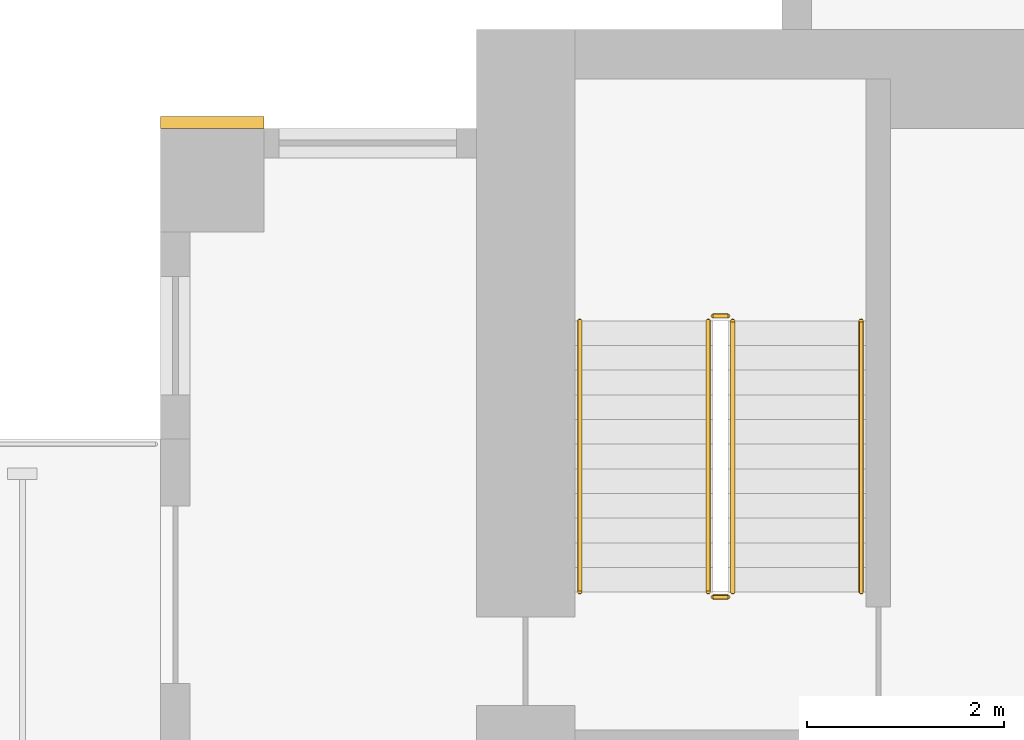
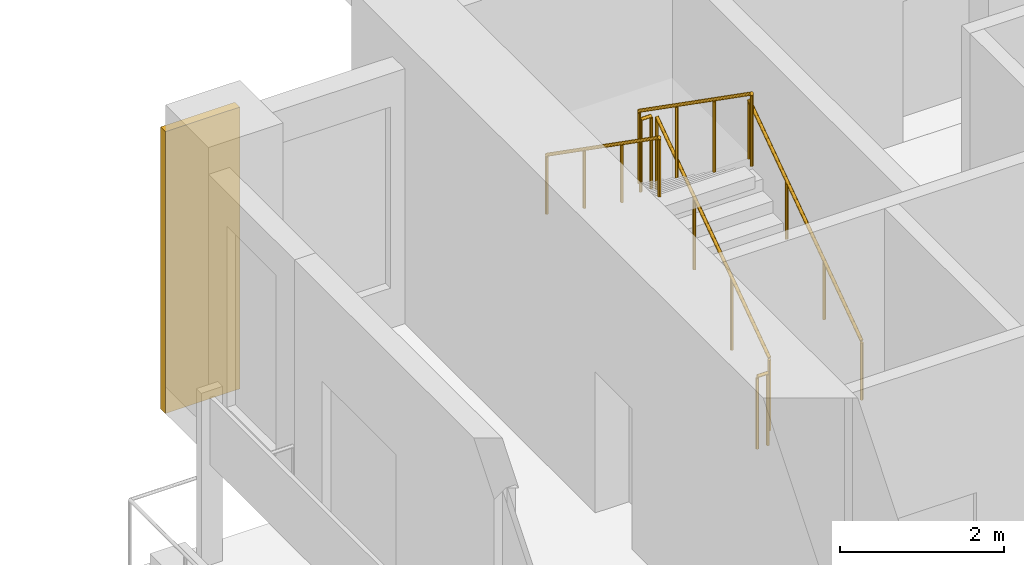
# One storey, part 12 of 15: 6 railings, 1 covering.
"""IFC4 building model written with IfcOpenShell, lengths in metres."""

import ifcopenshell
import ifcopenshell.guid

model = None  # the IFC model being written
_history = None  # IfcOwnerHistory: only IFC2X3 demands one
_inside = {}  # id of a spatial element -> (the spatial element, [elements in it])
_under = {}  # id of a project, library or spatial element -> (it, [spatial elements below it])
_declared = {}  # id of a project -> (the project, [libraries it declares])
_typed = {}  # id of a type object -> (the type object, [elements of that type])
_made_of = {}  # id of a material, layer set ... -> (it, [elements and type objects made of it])


def new_model(schema):
    """Start an empty IFC model of exactly this schema.

    Asked for "IFC4X3", IfcOpenShell would pick the latest addendum, in which some entities
    have other attributes; the version numbers below select the first issue.
    IFC2X3 requires an IfcOwnerHistory on every rooted entity: one is made here for all.
    """
    global model, _history
    if schema == "IFC4X3":
        model = ifcopenshell.file(schema_version=(4, 3, 0, 0))
    else:
        model = ifcopenshell.file(schema=schema)
    _inside.clear()
    _under.clear()
    _declared.clear()
    _typed.clear()
    _made_of.clear()
    _history = None
    if model.schema == "IFC2X3":
        org = make("IfcOrganization", Name="unknown")
        user = make(
            "IfcPersonAndOrganization",
            ThePerson=make("IfcPerson", FamilyName="unknown"),
            TheOrganization=org,
        )
        app = make(
            "IfcApplication",
            ApplicationDeveloper=org,
            Version="unknown",
            ApplicationFullName="unknown",
            ApplicationIdentifier="unknown",
        )
        _history = make(
            "IfcOwnerHistory",
            OwningUser=user,
            OwningApplication=app,
            ChangeAction="ADDED",
            CreationDate=0,
        )
    return model


def make(cls, **values):
    """One entity of the class cls with the attributes given. An attribute that is None is left unset."""
    return model.create_entity(
        cls, **{name: value for name, value in values.items() if value is not None}
    )


def rooted(cls, **values):
    """An entity with a GlobalId (a new one), such as an element, a storey or a relation."""
    return make(cls, GlobalId=ifcopenshell.guid.new(), OwnerHistory=_history, **values)


def si_unit(unit_type, name, prefix=None):
    """IfcSIUnit, for example si_unit("LENGTHUNIT", "METRE", prefix="MILLI")."""
    return make("IfcSIUnit", UnitType=unit_type, Prefix=prefix, Name=name)


def assignment(units):
    """IfcUnitAssignment: the units of a project."""
    return None if units is None else make("IfcUnitAssignment", Units=units)


def point(xyz):
    """IfcCartesianPoint."""
    return None if xyz is None else make("IfcCartesianPoint", Coordinates=xyz)


def direction(xyz):
    """IfcDirection."""
    return None if xyz is None else make("IfcDirection", DirectionRatios=xyz)


def frame(location, z_axis=None, x_axis=None):
    """IfcAxis2Placement3D, a coordinate frame: its origin and axes. An axis left out is left unset."""
    return make(
        "IfcAxis2Placement3D",
        Location=point(location),
        Axis=direction(z_axis),
        RefDirection=direction(x_axis),
    )


def frame_2d(location, x_axis=None):
    """IfcAxis2Placement2D, a coordinate frame in the plane: its origin and x axis."""
    return make(
        "IfcAxis2Placement2D", Location=point(location), RefDirection=direction(x_axis)
    )


def origin():
    """The frame at (0, 0, 0) with its axes left unset."""
    return frame((0.0, 0.0, 0.0))


def origin_2d():
    """The frame at (0, 0) in the plane with its x axis left unset."""
    return frame_2d((0.0, 0.0))


def place(relative_to, where):
    """IfcLocalPlacement: puts the frame where relative to a parent placement (None: the world)."""
    return make(
        "IfcLocalPlacement", PlacementRelTo=relative_to, RelativePlacement=where
    )


def context(
    kind, dimensions, precision=None, world=None, true_north=None, identifier=None
):
    """IfcGeometricRepresentationContext, for example the 3D "Model" context."""
    return make(
        "IfcGeometricRepresentationContext",
        ContextIdentifier=identifier,
        ContextType=kind,
        CoordinateSpaceDimension=dimensions,
        Precision=precision,
        WorldCoordinateSystem=world,
        TrueNorth=true_north,
    )


def subcontext(parent, identifier, kind, view, scale=None):
    """IfcGeometricRepresentationSubContext, for example "Body" below "Model"."""
    return make(
        "IfcGeometricRepresentationSubContext",
        ContextIdentifier=identifier,
        ContextType=kind,
        ParentContext=parent,
        TargetScale=scale,
        TargetView=view,
    )


def project(units=None, contexts=None):
    """IfcProject with its units and contexts."""
    return rooted(
        "IfcProject",
        Name="project",
        RepresentationContexts=contexts,
        UnitsInContext=assignment(units),
    )


def spatial(cls, under=None, at=None, **own):
    """A site, building, storey or space (cls), placed at a placement, below another one or the project."""
    s = rooted(cls, ObjectPlacement=at, **own)
    if under is not None:
        _under.setdefault(under.id(), (under, []))[1].append(s)
    return s


def profile(cls, at=None, kind="AREA", **sizes):
    """A parametric profile (cls). Its sizes go by their IFC names, for example OverallWidth=200.0."""
    return make(cls, ProfileType=kind, Position=at, **sizes)


def rectangle(**sizes):
    """IfcRectangleProfileDef."""
    return profile("IfcRectangleProfileDef", **sizes)


def circle(**sizes):
    """IfcCircleProfileDef."""
    return profile("IfcCircleProfileDef", **sizes)


def extrude(swept, where, along, depth):
    """IfcExtrudedAreaSolid: the profile swept, set in the frame where, extruded along a direction by depth."""
    return make(
        "IfcExtrudedAreaSolid",
        SweptArea=swept,
        Position=where,
        ExtrudedDirection=direction(along),
        Depth=depth,
    )


def shape(context_of_items, identifier, shape_type, items):
    """IfcShapeRepresentation: the items that make up one representation, for example the "Body"."""
    return make(
        "IfcShapeRepresentation",
        ContextOfItems=context_of_items,
        RepresentationIdentifier=identifier,
        RepresentationType=shape_type,
        Items=items,
    )


def source(mapping_origin, context_of_items, identifier, shape_type, items):
    """IfcRepresentationMap: a shape defined once, which mapped items show again and again."""
    return make(
        "IfcRepresentationMap",
        MappingOrigin=mapping_origin,
        MappedRepresentation=shape(context_of_items, identifier, shape_type, items),
    )


def transform(
    local_origin,
    x_axis=None,
    y_axis=None,
    z_axis=None,
    scale=None,
    scale2=None,
    scale3=None,
    uniform=True,
):
    """IfcCartesianTransformationOperator3D, or its non-uniform kind. x_axis, y_axis, z_axis: its Axis1, 2, 3."""
    if uniform:
        return make(
            "IfcCartesianTransformationOperator3D",
            Axis1=direction(x_axis),
            Axis2=direction(y_axis),
            LocalOrigin=point(local_origin),
            Scale=scale,
            Axis3=direction(z_axis),
        )
    return make(
        "IfcCartesianTransformationOperator3DnonUniform",
        Axis1=direction(x_axis),
        Axis2=direction(y_axis),
        LocalOrigin=point(local_origin),
        Scale=scale,
        Axis3=direction(z_axis),
        Scale2=scale2,
        Scale3=scale3,
    )


def mapped(mapping_source, mapping_target):
    """IfcMappedItem: shows the shape of a source again, moved by a transform."""
    return make(
        "IfcMappedItem", MappingSource=mapping_source, MappingTarget=mapping_target
    )


def material(Name=None, Category=None):
    """IfcMaterial."""
    return make("IfcMaterial", Name=Name, Category=Category)


def made_of(thing, what):
    """Note that an element or type object is made of a material, layer set ...; save() writes the relation."""
    if what is not None:
        _made_of.setdefault(what.id(), (what, []))[1].append(thing)
    return thing


def type_object(cls, material=None, **own):
    """A type object (cls), such as IfcWallType, which elements share."""
    return made_of(rooted(cls, **own), material)


def element(
    cls,
    number,
    at=None,
    inside=None,
    cuts=None,
    type_object=None,
    material=None,
    context=None,
    identifier="Body",
    shape_type=None,
    held_by="IfcProductDefinitionShape",
    body=None,
    shapes=None,
    **own,
):
    """One element of the class cls, such as IfcWall. Its Tag is "e" and its number.

    at: its placement. inside: the storey or other place that contains it. cuts: it is an
    opening in that element (IfcRelVoidsElement). A single representation is given by context,
    identifier, shape_type and body (its items); several are given by shapes. held_by: the class
    of the entity that holds the representations. save() writes the other relations.
    """
    e = rooted(cls, Tag="e%d" % number, ObjectPlacement=at, **own)
    if body is not None:
        shapes = [shape(context, identifier, shape_type, body)]
    if shapes is not None:
        e.Representation = make(held_by, Representations=shapes)
    if inside is not None:
        _inside.setdefault(inside.id(), (inside, []))[1].append(e)
    if cuts is not None:
        rooted(
            "IfcRelVoidsElement", RelatingBuildingElement=cuts, RelatedOpeningElement=e
        )
    if type_object is not None:
        _typed.setdefault(type_object.id(), (type_object, []))[1].append(e)
    return made_of(e, material)


def aggregate(whole, parts):
    """IfcRelAggregates: a whole, such as a stair, and the parts it consists of."""
    return rooted("IfcRelAggregates", RelatingObject=whole, RelatedObjects=parts)


def save(model, path):
    """Write the relations noted so far, then the file.

    IfcRelAggregates (storeys below a building ...), IfcRelContainedInSpatialStructure (elements
    in a storey), IfcRelDefinesByType, IfcRelAssociatesMaterial and IfcRelDeclares: one each for
    every whole, place, type object, material and project.
    """
    for whole, parts in _under.values():
        aggregate(whole, parts)
    for where, things in _inside.values():
        rooted(
            "IfcRelContainedInSpatialStructure",
            RelatedElements=things,
            RelatingStructure=where,
        )
    for kind, things in _typed.values():
        rooted("IfcRelDefinesByType", RelatedObjects=things, RelatingType=kind)
    for what, things in _made_of.values():
        rooted("IfcRelAssociatesMaterial", RelatedObjects=things, RelatingMaterial=what)
    for by, libraries in _declared.values():
        rooted("IfcRelDeclares", RelatingContext=by, RelatedDefinitions=libraries)
    model.write(path)


model = new_model("IFC4")

# Units and contexts
model_context = context("Model", 3, precision=1e-05, world=origin(), true_north=direction((0.0, 1.0)))
body_context = subcontext(model_context, "Body", "Model", "MODEL_VIEW")
ifc_project = project(units=[si_unit("LENGTHUNIT", "METRE"), si_unit("AREAUNIT", "SQUARE_METRE"), si_unit("VOLUMEUNIT", "CUBIC_METRE"), si_unit("PLANEANGLEUNIT", "RADIAN"), si_unit("MASSUNIT", "GRAM", prefix="KILO")], contexts=[model_context])

# Site, building, storey
site_placement = place(None, origin())
site = spatial("IfcSite", under=ifc_project, at=site_placement, CompositionType="ELEMENT")
building_placement = place(site_placement, origin())
building = spatial("IfcBuilding", under=site, at=building_placement, Name="Aurelian Terraces", CompositionType="ELEMENT")
storey_placement = place(building_placement, frame((0.0, 0.0, 137.1)))
storey = spatial("IfcBuildingStorey", under=building, at=storey_placement, Name="L30", CompositionType="ELEMENT", Elevation=137.1)

# Covering
ifc_material_1 = material(Name="Terracotta rainscreen cladding relief", Category="masonry")
covering_type = type_object("IfcCoveringType", Name="BAGUETTE-TC", PredefinedType="CLADDING", material=ifc_material_1)
shared_shape_1 = source(origin(), body_context, "Body", "SweptSolid", [
    extrude(rectangle(XDim=1.05, YDim=0.12, at=origin_2d()), origin(), (0.0, 0.0, 1.0), 4.2),
])
covering_placement = place(storey_placement, frame((0.525, 21.06, -0.4), z_axis=(0.0, 0.0, 1.0), x_axis=(1.0, 0.0, 0.0)))
element("IfcCovering", 1, at=covering_placement, inside=storey, type_object=covering_type, Name="BAGUETTE pier L30 6", PredefinedType="CLADDING", context=body_context, shape_type="MappedRepresentation", body=[
    mapped(shared_shape_1, transform((0.0, 0.0, 0.0), scale=1.0)),
])

# Railings
ifc_material_2 = material(Name="Stainless steel", Category="steel")
railing_type_1 = type_object("IfcRailingType", Name="Stair guard 1100", PredefinedType="GUARDRAIL", material=ifc_material_2)
shared_shape_2 = source(origin(), body_context, "Body", "SweptSolid", [
    extrude(circle(Radius=0.024, at=origin_2d()), frame((0.0, 0.0, 1.076), z_axis=(-1.0, 0.0, 0.0), x_axis=(0.0, -1.0, 0.0)), (0.0, 0.0, 1.0), 0.15),
    extrude(circle(Radius=0.021, at=origin_2d()), origin(), (0.0, 0.0, 1.0), 1.052),
    extrude(circle(Radius=0.021, at=origin_2d()), frame((-0.15, 0.0, 0.0)), (0.0, 0.0, 1.0), 1.052),
])
for number, where, name in (
    (2, (5.75, 19.1, 2.1), "L30 S1 stair guard 2"),
    (3, (5.75, 16.25, 0.0), "L30 S1 stair guard 4"),
):
    element("IfcRailing", number, at=place(storey_placement, frame(where)), inside=storey, type_object=railing_type_1, Name=name, PredefinedType="GUARDRAIL", context=body_context, shape_type="MappedRepresentation", body=[
        mapped(shared_shape_2, transform((0.0, 0.0, 0.0), scale=1.0)),
    ])
shared_shape_3 = source(origin(), body_context, "Body", "SweptSolid", [
    extrude(circle(Radius=0.024, at=origin_2d()), frame((0.0, 0.0, 1.076), z_axis=(0.0, 0.819231920519, 0.573462344363), x_axis=(-1.0, 0.0, 0.0)), (0.0, 0.0, 1.0), 3.3568),
    extrude(circle(Radius=0.021, at=origin_2d()), origin(), (0.0, 0.0, 1.0), 1.052),
    extrude(circle(Radius=0.021, at=origin_2d()), frame((0.0, 0.9167, 0.6417)), (0.0, 0.0, 1.0), 1.052),
    extrude(circle(Radius=0.021, at=origin_2d()), frame((0.0, 1.8333, 1.2833)), (0.0, 0.0, 1.0), 1.052),
    extrude(circle(Radius=0.021, at=origin_2d()), frame((0.0, 2.75, 1.925)), (0.0, 0.0, 1.0), 1.052),
])
railing_1_placement = place(storey_placement, frame((5.8, 16.3, 0.175)))
element("IfcRailing", 4, at=railing_1_placement, inside=storey, type_object=railing_type_1, Name="L30 S1 stair guard 1", PredefinedType="GUARDRAIL", context=body_context, shape_type="MappedRepresentation", body=[
    mapped(shared_shape_3, transform((0.0, 0.0, 0.0), scale=1.0)),
])
shared_shape_4 = source(origin(), body_context, "Body", "SweptSolid", [
    extrude(circle(Radius=0.024, at=origin_2d()), frame((0.0, 0.0, 1.076), z_axis=(0.0, -0.819231920519, 0.573462344363), x_axis=(1.0, 0.0, 0.0)), (0.0, 0.0, 1.0), 3.3568),
    extrude(circle(Radius=0.021, at=origin_2d()), origin(), (0.0, 0.0, 1.0), 1.052),
    extrude(circle(Radius=0.021, at=origin_2d()), frame((0.0, -0.9167, 0.6417)), (0.0, 0.0, 1.0), 1.052),
    extrude(circle(Radius=0.021, at=origin_2d()), frame((0.0, -1.8333, 1.2833)), (0.0, 0.0, 1.0), 1.052),
    extrude(circle(Radius=0.021, at=origin_2d()), frame((0.0, -2.75, 1.925)), (0.0, 0.0, 1.0), 1.052),
])
railing_2_placement = place(storey_placement, frame((5.55, 19.05, 2.275)))
element("IfcRailing", 5, at=railing_2_placement, inside=storey, type_object=railing_type_1, Name="L30 S1 stair guard 3", PredefinedType="GUARDRAIL", context=body_context, shape_type="MappedRepresentation", body=[
    mapped(shared_shape_4, transform((0.0, 0.0, 0.0), scale=1.0)),
])
railing_type_2 = type_object("IfcRailingType", Name="Stair handrail", PredefinedType="HANDRAIL", material=ifc_material_2)
shared_shape_5 = source(origin(), body_context, "Body", "SweptSolid", [
    extrude(circle(Radius=0.024, at=origin_2d()), frame((0.0, 0.0, 0.876), z_axis=(0.0, 0.819231920519, 0.573462344363), x_axis=(-1.0, 0.0, 0.0)), (0.0, 0.0, 1.0), 3.3568),
    extrude(circle(Radius=0.021, at=origin_2d()), origin(), (0.0, 0.0, 1.0), 0.852),
    extrude(circle(Radius=0.021, at=origin_2d()), frame((0.0, 0.9167, 0.6417)), (0.0, 0.0, 1.0), 0.852),
    extrude(circle(Radius=0.021, at=origin_2d()), frame((0.0, 1.8333, 1.2833)), (0.0, 0.0, 1.0), 0.852),
    extrude(circle(Radius=0.021, at=origin_2d()), frame((0.0, 2.75, 1.925)), (0.0, 0.0, 1.0), 0.852),
])
railing_3_placement = place(storey_placement, frame((7.1, 16.3, 0.175)))
element("IfcRailing", 6, at=railing_3_placement, inside=storey, type_object=railing_type_2, Name="L30 S1 stair handrail 1", PredefinedType="HANDRAIL", context=body_context, shape_type="MappedRepresentation", body=[
    mapped(shared_shape_5, transform((0.0, 0.0, 0.0), scale=1.0)),
])
shared_shape_6 = source(origin(), body_context, "Body", "SweptSolid", [
    extrude(circle(Radius=0.024, at=origin_2d()), frame((0.0, 0.0, 0.876), z_axis=(0.0, -0.819231920519, 0.573462344363), x_axis=(1.0, 0.0, 0.0)), (0.0, 0.0, 1.0), 3.3568),
    extrude(circle(Radius=0.021, at=origin_2d()), origin(), (0.0, 0.0, 1.0), 0.852),
    extrude(circle(Radius=0.021, at=origin_2d()), frame((0.0, -0.9167, 0.6417)), (0.0, 0.0, 1.0), 0.852),
    extrude(circle(Radius=0.021, at=origin_2d()), frame((0.0, -1.8333, 1.2833)), (0.0, 0.0, 1.0), 0.852),
    extrude(circle(Radius=0.021, at=origin_2d()), frame((0.0, -2.75, 1.925)), (0.0, 0.0, 1.0), 0.852),
])
railing_4_placement = place(storey_placement, frame((4.25, 19.05, 2.275)))
element("IfcRailing", 7, at=railing_4_placement, inside=storey, type_object=railing_type_2, Name="L30 S1 stair handrail 2", PredefinedType="HANDRAIL", context=body_context, shape_type="MappedRepresentation", body=[
    mapped(shared_shape_6, transform((0.0, 0.0, 0.0), scale=1.0)),
])

save(model, "model.ifc")
